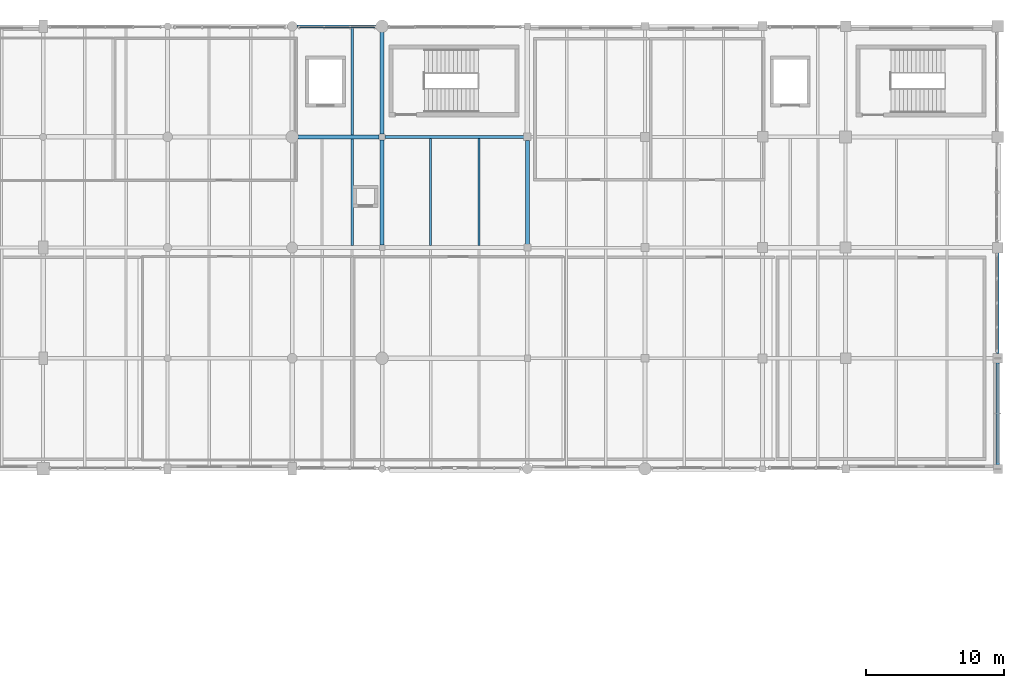
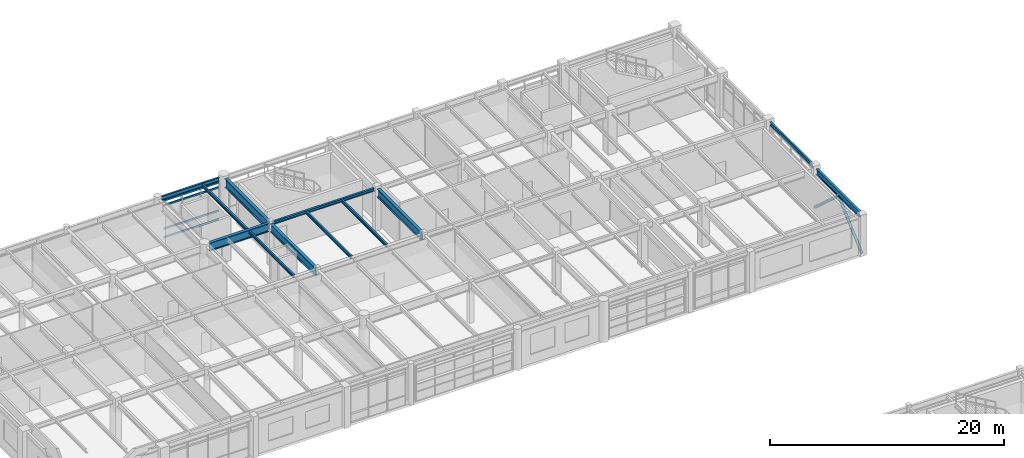
# One storey, part 117 of 168: 12 beams, 6 members, 1 element without a shape of its own.
"""IFC4 building model written with IfcOpenShell, lengths in metres."""

import ifcopenshell
import ifcopenshell.guid

model = None  # the IFC model being written
_history = None  # IfcOwnerHistory: only IFC2X3 demands one
_inside = {}  # id of a spatial element -> (the spatial element, [elements in it])
_under = {}  # id of a project, library or spatial element -> (it, [spatial elements below it])
_declared = {}  # id of a project -> (the project, [libraries it declares])
_typed = {}  # id of a type object -> (the type object, [elements of that type])
_made_of = {}  # id of a material, layer set ... -> (it, [elements and type objects made of it])


def new_model(schema):
    """Start an empty IFC model of exactly this schema.

    Asked for "IFC4X3", IfcOpenShell would pick the latest addendum, in which some entities
    have other attributes; the version numbers below select the first issue.
    IFC2X3 requires an IfcOwnerHistory on every rooted entity: one is made here for all.
    """
    global model, _history
    if schema == "IFC4X3":
        model = ifcopenshell.file(schema_version=(4, 3, 0, 0))
    else:
        model = ifcopenshell.file(schema=schema)
    _inside.clear()
    _under.clear()
    _declared.clear()
    _typed.clear()
    _made_of.clear()
    _history = None
    if model.schema == "IFC2X3":
        org = make("IfcOrganization", Name="unknown")
        user = make(
            "IfcPersonAndOrganization",
            ThePerson=make("IfcPerson", FamilyName="unknown"),
            TheOrganization=org,
        )
        app = make(
            "IfcApplication",
            ApplicationDeveloper=org,
            Version="unknown",
            ApplicationFullName="unknown",
            ApplicationIdentifier="unknown",
        )
        _history = make(
            "IfcOwnerHistory",
            OwningUser=user,
            OwningApplication=app,
            ChangeAction="ADDED",
            CreationDate=0,
        )
    return model


def make(cls, **values):
    """One entity of the class cls with the attributes given. An attribute that is None is left unset."""
    return model.create_entity(
        cls, **{name: value for name, value in values.items() if value is not None}
    )


def rooted(cls, **values):
    """An entity with a GlobalId (a new one), such as an element, a storey or a relation."""
    return make(cls, GlobalId=ifcopenshell.guid.new(), OwnerHistory=_history, **values)


def si_unit(unit_type, name, prefix=None):
    """IfcSIUnit, for example si_unit("LENGTHUNIT", "METRE", prefix="MILLI")."""
    return make("IfcSIUnit", UnitType=unit_type, Prefix=prefix, Name=name)


def assignment(units):
    """IfcUnitAssignment: the units of a project."""
    return None if units is None else make("IfcUnitAssignment", Units=units)


def point(xyz):
    """IfcCartesianPoint."""
    return None if xyz is None else make("IfcCartesianPoint", Coordinates=xyz)


def direction(xyz):
    """IfcDirection."""
    return None if xyz is None else make("IfcDirection", DirectionRatios=xyz)


def frame(location, z_axis=None, x_axis=None):
    """IfcAxis2Placement3D, a coordinate frame: its origin and axes. An axis left out is left unset."""
    return make(
        "IfcAxis2Placement3D",
        Location=point(location),
        Axis=direction(z_axis),
        RefDirection=direction(x_axis),
    )


def frame_2d(location, x_axis=None):
    """IfcAxis2Placement2D, a coordinate frame in the plane: its origin and x axis."""
    return make(
        "IfcAxis2Placement2D", Location=point(location), RefDirection=direction(x_axis)
    )


def origin():
    """The frame at (0, 0, 0) with its axes left unset."""
    return frame((0.0, 0.0, 0.0))


def origin_2d():
    """The frame at (0, 0) in the plane with its x axis left unset."""
    return frame_2d((0.0, 0.0))


def place(relative_to, where):
    """IfcLocalPlacement: puts the frame where relative to a parent placement (None: the world)."""
    return make(
        "IfcLocalPlacement", PlacementRelTo=relative_to, RelativePlacement=where
    )


def context(
    kind, dimensions, precision=None, world=None, true_north=None, identifier=None
):
    """IfcGeometricRepresentationContext, for example the 3D "Model" context."""
    return make(
        "IfcGeometricRepresentationContext",
        ContextIdentifier=identifier,
        ContextType=kind,
        CoordinateSpaceDimension=dimensions,
        Precision=precision,
        WorldCoordinateSystem=world,
        TrueNorth=true_north,
    )


def subcontext(parent, identifier, kind, view, scale=None):
    """IfcGeometricRepresentationSubContext, for example "Body" below "Model"."""
    return make(
        "IfcGeometricRepresentationSubContext",
        ContextIdentifier=identifier,
        ContextType=kind,
        ParentContext=parent,
        TargetScale=scale,
        TargetView=view,
    )


def project(units=None, contexts=None):
    """IfcProject with its units and contexts."""
    return rooted(
        "IfcProject",
        Name="project",
        RepresentationContexts=contexts,
        UnitsInContext=assignment(units),
    )


def spatial(cls, under=None, at=None, **own):
    """A site, building, storey or space (cls), placed at a placement, below another one or the project."""
    s = rooted(cls, ObjectPlacement=at, **own)
    if under is not None:
        _under.setdefault(under.id(), (under, []))[1].append(s)
    return s


def profile(cls, at=None, kind="AREA", **sizes):
    """A parametric profile (cls). Its sizes go by their IFC names, for example OverallWidth=200.0."""
    return make(cls, ProfileType=kind, Position=at, **sizes)


def hollow_rectangle(**sizes):
    """IfcRectangleHollowProfileDef."""
    return profile("IfcRectangleHollowProfileDef", **sizes)


def hollow_circle(**sizes):
    """IfcCircleHollowProfileDef."""
    return profile("IfcCircleHollowProfileDef", **sizes)


def i_section(**sizes):
    """IfcIShapeProfileDef."""
    return profile("IfcIShapeProfileDef", **sizes)


def extrude(swept, where, along, depth):
    """IfcExtrudedAreaSolid: the profile swept, set in the frame where, extruded along a direction by depth."""
    return make(
        "IfcExtrudedAreaSolid",
        SweptArea=swept,
        Position=where,
        ExtrudedDirection=direction(along),
        Depth=depth,
    )


def shape(context_of_items, identifier, shape_type, items):
    """IfcShapeRepresentation: the items that make up one representation, for example the "Body"."""
    return make(
        "IfcShapeRepresentation",
        ContextOfItems=context_of_items,
        RepresentationIdentifier=identifier,
        RepresentationType=shape_type,
        Items=items,
    )


def material(Name=None, Category=None):
    """IfcMaterial."""
    return make("IfcMaterial", Name=Name, Category=Category)


def material_profile(
    of_material, cross_section, Name=None, Category=None, Priority=None
):
    """IfcMaterialProfile: a cross section and its material."""
    return make(
        "IfcMaterialProfile",
        Name=Name,
        Material=of_material,
        Profile=cross_section,
        Priority=Priority,
        Category=Category,
    )


def profile_set(profiles, Name=None, composite=None):
    """IfcMaterialProfileSet."""
    return make(
        "IfcMaterialProfileSet",
        Name=Name,
        MaterialProfiles=profiles,
        CompositeProfile=composite,
    )


def made_of(thing, what):
    """Note that an element or type object is made of a material, layer set ...; save() writes the relation."""
    if what is not None:
        _made_of.setdefault(what.id(), (what, []))[1].append(thing)
    return thing


def type_object(cls, material=None, **own):
    """A type object (cls), such as IfcWallType, which elements share."""
    return made_of(rooted(cls, **own), material)


def element(
    cls,
    number,
    at=None,
    inside=None,
    cuts=None,
    type_object=None,
    material=None,
    context=None,
    identifier="Body",
    shape_type=None,
    held_by="IfcProductDefinitionShape",
    body=None,
    shapes=None,
    **own,
):
    """One element of the class cls, such as IfcWall. Its Tag is "e" and its number.

    at: its placement. inside: the storey or other place that contains it. cuts: it is an
    opening in that element (IfcRelVoidsElement). A single representation is given by context,
    identifier, shape_type and body (its items); several are given by shapes. held_by: the class
    of the entity that holds the representations. save() writes the other relations.
    """
    e = rooted(cls, Tag="e%d" % number, ObjectPlacement=at, **own)
    if body is not None:
        shapes = [shape(context, identifier, shape_type, body)]
    if shapes is not None:
        e.Representation = make(held_by, Representations=shapes)
    if inside is not None:
        _inside.setdefault(inside.id(), (inside, []))[1].append(e)
    if cuts is not None:
        rooted(
            "IfcRelVoidsElement", RelatingBuildingElement=cuts, RelatedOpeningElement=e
        )
    if type_object is not None:
        _typed.setdefault(type_object.id(), (type_object, []))[1].append(e)
    return made_of(e, material)


def aggregate(whole, parts):
    """IfcRelAggregates: a whole, such as a stair, and the parts it consists of."""
    return rooted("IfcRelAggregates", RelatingObject=whole, RelatedObjects=parts)


def save(model, path):
    """Write the relations noted so far, then the file.

    IfcRelAggregates (storeys below a building ...), IfcRelContainedInSpatialStructure (elements
    in a storey), IfcRelDefinesByType, IfcRelAssociatesMaterial and IfcRelDeclares: one each for
    every whole, place, type object, material and project.
    """
    for whole, parts in _under.values():
        aggregate(whole, parts)
    for where, things in _inside.values():
        rooted(
            "IfcRelContainedInSpatialStructure",
            RelatedElements=things,
            RelatingStructure=where,
        )
    for kind, things in _typed.values():
        rooted("IfcRelDefinesByType", RelatedObjects=things, RelatingType=kind)
    for what, things in _made_of.values():
        rooted("IfcRelAssociatesMaterial", RelatedObjects=things, RelatingMaterial=what)
    for by, libraries in _declared.values():
        rooted("IfcRelDeclares", RelatingContext=by, RelatedDefinitions=libraries)
    model.write(path)


model = new_model("IFC4")

# Units and contexts
model_context = context("Model", 3, precision=1e-05, world=origin(), true_north=direction((0.0, 1.0)))
body_context = subcontext(model_context, "Body", "Model", "MODEL_VIEW")
ifc_project = project(units=[si_unit("LENGTHUNIT", "METRE"), si_unit("AREAUNIT", "SQUARE_METRE"), si_unit("VOLUMEUNIT", "CUBIC_METRE"), si_unit("PLANEANGLEUNIT", "RADIAN"), si_unit("MASSUNIT", "GRAM", prefix="KILO"), si_unit("THERMODYNAMICTEMPERATUREUNIT", "KELVIN"), si_unit("POWERUNIT", "WATT")], contexts=[model_context])

# Site, building, storey
site_placement = place(None, origin())
site = spatial("IfcSite", under=ifc_project, at=site_placement, CompositionType="ELEMENT")
building_placement = place(site_placement, origin())
building = spatial("IfcBuilding", under=site, at=building_placement, Name="Tepalcoro Natatorium and Aquatics Centre", CompositionType="ELEMENT")
storey_placement = place(building_placement, frame((0.0, 0.0, 10.199951171875)))
storey = spatial("IfcBuildingStorey", under=building, at=storey_placement, Name="L02", CompositionType="ELEMENT", Elevation=10.199951171875)

# Beams
ifc_material_1 = material(Name="Steel ASTM A992 Grade 50 (Fy 345 MPa)", Category="steel")
ifc_material_profile_1 = material_profile(ifc_material_1, i_section(OverallWidth=0.202880859375, OverallDepth=0.304931640625, WebThickness=0.007080078125, FlangeThickness=0.012939453125, FilletRadius=0.013916015625, at=origin_2d()), Name="W12X40")
ifc_profile_set_1 = profile_set([ifc_material_profile_1], Name="Steel ASTM A992 Grade 50 (Fy 345 MPa)")
beam_type_1 = type_object("IfcBeamType", Name="BM_W12x40", PredefinedType="BEAM", material=ifc_profile_set_1)
beam_1_placement = place(storey_placement, frame((131.7099609375, 110.0, 4.212646484375), z_axis=(1.0, 0.0, 0.0), x_axis=(0.0, 1.0, 0.0)))
element("IfcBeam", 1, at=beam_1_placement, inside=storey, type_object=beam_type_1, Name="V5 L02 Grid Girder X", PredefinedType="BEAM", context=body_context, shape_type="SweptSolid", body=[
    extrude(i_section(OverallWidth=0.202880859375, OverallDepth=0.304931640625, WebThickness=0.007080078125, FlangeThickness=0.012939453125, FilletRadius=0.013916015625, at=origin_2d()), origin(), (0.0, 0.0, 1.0), 10.030029296875),
])
ifc_material_profile_2 = material_profile(ifc_material_1, i_section(OverallWidth=0.2919921875, OverallDepth=0.845947265625, WebThickness=0.014892578125, FlangeThickness=0.02392578125, FilletRadius=0.013916015625, at=origin_2d()), Name="W33X141")
ifc_profile_set_2 = profile_set([ifc_material_profile_2], Name="Steel ASTM A992 Grade 50 (Fy 345 MPa)")
beam_type_2 = type_object("IfcBeamType", Name="BM_W33x141", PredefinedType="BEAM", material=ifc_profile_set_2)
beam_2_placement = place(storey_placement, frame((131.5, 102.18505859375, 3.942138671875), z_axis=(0.0, 1.0, 0.0), x_axis=(-1.0, 0.0, 0.0)))
element("IfcBeam", 2, at=beam_2_placement, inside=storey, type_object=beam_type_2, Name="V5 L02 Grid Girder Y", PredefinedType="BEAM", context=body_context, shape_type="SweptSolid", body=[
    extrude(i_section(OverallWidth=0.2919921875, OverallDepth=0.845947265625, WebThickness=0.014892578125, FlangeThickness=0.02392578125, FilletRadius=0.013916015625, at=origin_2d()), origin(), (0.0, 0.0, 1.0), 7.60498046875),
])
ifc_material_profile_3 = material_profile(ifc_material_1, i_section(OverallWidth=0.2919921875, OverallDepth=0.85888671875, WebThickness=0.01708984375, FlangeThickness=0.031005859375, FilletRadius=0.013916015625, at=origin_2d()), Name="W33X169")
ifc_profile_set_3 = profile_set([ifc_material_profile_3], Name="Steel ASTM A992 Grade 50 (Fy 345 MPa)")
beam_type_3 = type_object("IfcBeamType", Name="BM_W33x169", PredefinedType="BEAM", material=ifc_profile_set_3)
beam_3_placement = place(storey_placement, frame((125.43505859375, 110.0, 3.935546875), z_axis=(1.0, 0.0, 0.0), x_axis=(0.0, 1.0, 0.0)))
element("IfcBeam", 3, at=beam_3_placement, inside=storey, type_object=beam_type_3, Name="V5 L02 Grid Girder X", PredefinedType="BEAM", context=body_context, shape_type="SweptSolid", body=[
    extrude(i_section(OverallWidth=0.2919921875, OverallDepth=0.85888671875, WebThickness=0.01708984375, FlangeThickness=0.031005859375, FilletRadius=0.013916015625, at=origin_2d()), origin(), (0.0, 0.0, 1.0), 5.85498046875),
])
beam_4_placement = place(storey_placement, frame((142.0, 102.235107421875, 3.935546875), z_axis=(0.0, 1.0, 0.0), x_axis=(-1.0, 0.0, 0.0)))
element("IfcBeam", 4, at=beam_4_placement, inside=storey, type_object=beam_type_3, Name="V5 L02 Grid Girder Y", PredefinedType="BEAM", context=body_context, shape_type="SweptSolid", body=[
    extrude(i_section(OverallWidth=0.2919921875, OverallDepth=0.85888671875, WebThickness=0.01708984375, FlangeThickness=0.031005859375, FilletRadius=0.013916015625, at=origin_2d()), origin(), (0.0, 0.0, 1.0), 7.5048828125),
])
ifc_material_profile_4 = material_profile(ifc_material_1, i_section(OverallWidth=0.304931640625, OverallDepth=0.9189453125, WebThickness=0.01708984375, FlangeThickness=0.028076171875, FilletRadius=0.013916015625, at=origin_2d()), Name="W36X170")
ifc_profile_set_4 = profile_set([ifc_material_profile_4], Name="Steel ASTM A992 Grade 50 (Fy 345 MPa)")
beam_type_4 = type_object("IfcBeamType", Name="BM_W36x170", PredefinedType="BEAM", material=ifc_profile_set_4)
beam_5_placement = place(storey_placement, frame((131.5, 110.2099609375, 3.905517578125), z_axis=(0.0, 1.0, 0.0), x_axis=(-1.0, 0.0, 0.0)))
element("IfcBeam", 5, at=beam_5_placement, inside=storey, type_object=beam_type_4, Name="V5 L02 Grid Girder Y", PredefinedType="BEAM", context=body_context, shape_type="SweptSolid", body=[
    extrude(i_section(OverallWidth=0.304931640625, OverallDepth=0.9189453125, WebThickness=0.01708984375, FlangeThickness=0.028076171875, FilletRadius=0.013916015625, at=origin_2d()), origin(), (0.0, 0.0, 1.0), 7.35498046875),
])

# Curtain wall, members
ifc_material_2 = material(Name="Bronze-Anodised Extruded Aluminium Alloy EN AW-6063 T6", Category="aluminium")
curtain_wall_type = type_object("IfcCurtainWallType", Name="CW_LEAN_T2_EW", PredefinedType="USERDEFINED", material=ifc_material_2)
curtain_wall_placement = place(storey_placement, origin())
curtain_wall = element("IfcCurtainWall", 6, at=curtain_wall_placement, inside=storey, type_object=curtain_wall_type, Name="V5 L02 N Unitised Curtain Wall Bay 4", ObjectType="FACETED SOLAR GLAZING", PredefinedType="USERDEFINED")
ifc_material_profile_5 = material_profile(ifc_material_2, hollow_rectangle(XDim=0.080078125, YDim=0.179931640625, WallThickness=0.0048828125, at=origin_2d()), Name="AL80X180X5")
ifc_profile_set_5 = profile_set([ifc_material_profile_5], Name="Bronze-Anodised Extruded Aluminium Alloy EN AW-6063 T6")
member_type_1 = type_object("IfcMemberType", Name="CW_TRN_80x180", PredefinedType="USERDEFINED", material=ifc_profile_set_5)
member_1_placement = place(storey_placement, frame((125.530029296875, 117.919921875, 0.050048828125), z_axis=(1.0, 0.0, 0.0), x_axis=(0.0, 1.0, 0.0)))
member_1 = element("IfcMember", 7, at=member_1_placement, type_object=member_type_1, Name="CW_LEAN_T2_EW Curtain Wall Transom", ObjectType="TRANSOM", PredefinedType="USERDEFINED", context=body_context, shape_type="SweptSolid", body=[
    extrude(hollow_rectangle(XDim=0.080078125, YDim=0.179931640625, WallThickness=0.0048828125, at=origin_2d()), origin(), (0.0, 0.0, 1.0), 5.43994140625),
])
member_2_placement = place(storey_placement, frame((125.530029296875, 117.919921875, 0.949951171875), z_axis=(1.0, 0.0, 0.0), x_axis=(0.0, 1.0, 0.0)))
member_2 = element("IfcMember", 8, at=member_2_placement, type_object=member_type_1, Name="CW_LEAN_T2_EW Curtain Wall Transom", ObjectType="TRANSOM", PredefinedType="USERDEFINED", context=body_context, shape_type="SweptSolid", body=[
    extrude(hollow_rectangle(XDim=0.080078125, YDim=0.179931640625, WallThickness=0.0048828125, at=origin_2d()), origin(), (0.0, 0.0, 1.0), 5.43994140625),
])
member_3_placement = place(storey_placement, frame((125.530029296875, 117.919921875, 3.386962890625), z_axis=(1.0, 0.0, 0.0), x_axis=(0.0, 1.0, 0.0)))
member_3 = element("IfcMember", 9, at=member_3_placement, type_object=member_type_1, Name="CW_LEAN_T2_EW Curtain Wall Transom", ObjectType="TRANSOM", PredefinedType="USERDEFINED", context=body_context, shape_type="SweptSolid", body=[
    extrude(hollow_rectangle(XDim=0.080078125, YDim=0.179931640625, WallThickness=0.0048828125, at=origin_2d()), origin(), (0.0, 0.0, 1.0), 5.43994140625),
])
member_4_placement = place(storey_placement, frame((125.530029296875, 117.919921875, 3.886962890625), z_axis=(1.0, 0.0, 0.0), x_axis=(0.0, 1.0, 0.0)))
member_4 = element("IfcMember", 10, at=member_4_placement, type_object=member_type_1, Name="CW_LEAN_T2_EW Curtain Wall Transom", ObjectType="TRANSOM", PredefinedType="USERDEFINED", context=body_context, shape_type="SweptSolid", body=[
    extrude(hollow_rectangle(XDim=0.080078125, YDim=0.179931640625, WallThickness=0.0048828125, at=origin_2d()), origin(), (0.0, 0.0, 1.0), 5.43994140625),
])
aggregate(curtain_wall, [member_1, member_2, member_3, member_4])

# Beams
ifc_material_profile_6 = material_profile(ifc_material_1, i_section(OverallWidth=0.1650390625, OverallDepth=0.31005859375, WebThickness=0.006103515625, FlangeThickness=0.010009765625, FilletRadius=0.013916015625, at=origin_2d()), Name="W12X26")
ifc_profile_set_6 = profile_set([ifc_material_profile_6], Name="Steel ASTM A992 Grade 50 (Fy 345 MPa)")
beam_type_5 = type_object("IfcBeamType", Name="JS_W12x26", PredefinedType="JOIST", material=ifc_profile_set_6)
beam_6_placement = place(storey_placement, frame((129.333251953125, 102.14599609375, 4.2099609375), z_axis=(0.0, 1.0, 0.0), x_axis=(-1.0, 0.0, 0.0)))
element("IfcBeam", 11, at=beam_6_placement, inside=storey, type_object=beam_type_5, Name="V5 L02 Floor Joist", PredefinedType="JOIST", context=body_context, shape_type="SweptSolid", body=[
    extrude(i_section(OverallWidth=0.1650390625, OverallDepth=0.31005859375, WebThickness=0.006103515625, FlangeThickness=0.010009765625, FilletRadius=0.013916015625, at=origin_2d()), origin(), (0.0, 0.0, 1.0), 7.7080078125),
])
beam_7_placement = place(storey_placement, frame((135.0, 102.155029296875, 4.2099609375), z_axis=(0.0, 1.0, 0.0), x_axis=(-1.0, 0.0, 0.0)))
element("IfcBeam", 12, at=beam_7_placement, inside=storey, type_object=beam_type_5, Name="V5 L02 Floor Joist", PredefinedType="JOIST", context=body_context, shape_type="SweptSolid", body=[
    extrude(i_section(OverallWidth=0.1650390625, OverallDepth=0.31005859375, WebThickness=0.006103515625, FlangeThickness=0.010009765625, FilletRadius=0.013916015625, at=origin_2d()), origin(), (0.0, 0.0, 1.0), 7.743408203125),
])
ifc_material_profile_7 = material_profile(ifc_material_1, i_section(OverallWidth=0.1669921875, OverallDepth=0.318115234375, WebThickness=0.008056640625, FlangeThickness=0.012939453125, FilletRadius=0.013916015625, at=origin_2d()), Name="W12X35")
ifc_profile_set_7 = profile_set([ifc_material_profile_7], Name="Steel ASTM A992 Grade 50 (Fy 345 MPa)")
beam_type_6 = type_object("IfcBeamType", Name="JS_W12x35", PredefinedType="JOIST", material=ifc_profile_set_7)
beam_8_placement = place(storey_placement, frame((129.333251953125, 110.14599609375, 4.2060546875), z_axis=(0.0, 1.0, 0.0), x_axis=(-1.0, 0.0, 0.0)))
element("IfcBeam", 13, at=beam_8_placement, inside=storey, type_object=beam_type_6, Name="V5 L02 Floor Joist", PredefinedType="JOIST", context=body_context, shape_type="SweptSolid", body=[
    extrude(i_section(OverallWidth=0.1669921875, OverallDepth=0.318115234375, WebThickness=0.008056640625, FlangeThickness=0.012939453125, FilletRadius=0.013916015625, at=origin_2d()), origin(), (0.0, 0.0, 1.0), 7.763916015625),
])
beam_9_placement = place(storey_placement, frame((138.5, 102.155029296875, 4.2060546875), z_axis=(0.0, 1.0, 0.0), x_axis=(-1.0, 0.0, 0.0)))
element("IfcBeam", 14, at=beam_9_placement, inside=storey, type_object=beam_type_6, Name="V5 L02 Floor Joist", PredefinedType="JOIST", context=body_context, shape_type="SweptSolid", body=[
    extrude(i_section(OverallWidth=0.1669921875, OverallDepth=0.318115234375, WebThickness=0.008056640625, FlangeThickness=0.012939453125, FilletRadius=0.013916015625, at=origin_2d()), origin(), (0.0, 0.0, 1.0), 7.743408203125),
])

# Members
ifc_material_3 = material(Name="Terracotta Painted Hollow Steel ASTM A500 Grade C (Fy 345 MPa)", Category="masonry")
ifc_material_profile_8 = material_profile(ifc_material_3, hollow_circle(Radius=0.136474609375, WallThickness=0.011962890625, at=origin_2d()), Name="CHS273X12")
ifc_profile_set_8 = profile_set([ifc_material_profile_8], Name="Terracotta Painted Hollow Steel ASTM A500 Grade C (Fy 345 MPa)")
member_type_2 = type_object("IfcMemberType", Name="MB_BR_CHS273x12", PredefinedType="BRACE", material=ifc_profile_set_8)
for number, where, z_axis, x_axis, name in (
    (15, (176.0, 86.0, 0.050048828125), (0.0, 0.742360686532, 0.670000456039), (-1.0, 0.0, 0.0), "V5 L02 Chevron Lateral Brace"),
    (16, (176.0, 94.0, 0.050048828125), (0.0, -0.742360686532, 0.670000456039), (1.0, 0.0, 0.0), "V5 L02 Chevron Lateral Brace"),
):
    element("IfcMember", number, at=place(storey_placement, frame(where, z_axis=z_axis, x_axis=x_axis)), inside=storey, type_object=member_type_2, Name=name, PredefinedType="BRACE", context=body_context, shape_type="SweptSolid", body=[
        extrude(hollow_circle(Radius=0.136474609375, WallThickness=0.011962890625, at=origin_2d()), origin(), (0.0, 0.0, 1.0), 5.38818359375),
    ])

# Beams
ifc_material_profile_9 = material_profile(ifc_material_1, i_section(OverallWidth=0.179931640625, OverallDepth=0.4130859375, WebThickness=0.010009765625, FlangeThickness=0.01611328125, FilletRadius=0.013916015625, at=origin_2d()), Name="W16X50")
ifc_profile_set_9 = profile_set([ifc_material_profile_9], Name="Steel ASTM A992 Grade 50 (Fy 345 MPa)")
beam_type_7 = type_object("IfcBeamType", Name="SP_HSS300x200x12", PredefinedType="SPANDREL", material=ifc_profile_set_9)
beam_10_placement = place(storey_placement, frame((125.3349609375, 118.0, 4.158447265625), z_axis=(1.0, 0.0, 0.0), x_axis=(0.0, 1.0, 0.0)))
element("IfcBeam", 17, at=beam_10_placement, inside=storey, type_object=beam_type_7, Name="V5 L02 Grid Girder X", PredefinedType="SPANDREL", context=body_context, shape_type="SweptSolid", body=[
    extrude(i_section(OverallWidth=0.179931640625, OverallDepth=0.4130859375, WebThickness=0.010009765625, FlangeThickness=0.01611328125, FilletRadius=0.013916015625, at=origin_2d()), origin(), (0.0, 0.0, 1.0), 5.72998046875),
])
beam_11_placement = place(storey_placement, frame((176.0, 94.3349609375, 4.158447265625), z_axis=(0.0, 1.0, 0.0), x_axis=(-1.0, 0.0, 0.0)))
element("IfcBeam", 18, at=beam_11_placement, inside=storey, type_object=beam_type_7, Name="V5 L02 Grid Girder Y", PredefinedType="SPANDREL", context=body_context, shape_type="SweptSolid", body=[
    extrude(i_section(OverallWidth=0.179931640625, OverallDepth=0.4130859375, WebThickness=0.010009765625, FlangeThickness=0.01611328125, FilletRadius=0.013916015625, at=origin_2d()), origin(), (0.0, 0.0, 1.0), 7.304931640625),
])
ifc_material_profile_10 = material_profile(ifc_material_1, i_section(OverallWidth=0.22900390625, OverallDepth=0.612060546875, WebThickness=0.011962890625, FlangeThickness=0.02001953125, FilletRadius=0.013916015625, at=origin_2d()), Name="W24X84")
ifc_profile_set_10 = profile_set([ifc_material_profile_10], Name="Steel ASTM A992 Grade 50 (Fy 345 MPa)")
beam_type_8 = type_object("IfcBeamType", Name="SP_W24x84", PredefinedType="SPANDREL", material=ifc_profile_set_10)
beam_12_placement = place(storey_placement, frame((176.0, 86.31005859375, 3.97900390625), z_axis=(0.0, 1.0, 0.0), x_axis=(-1.0, 0.0, 0.0)))
element("IfcBeam", 19, at=beam_12_placement, inside=storey, type_object=beam_type_8, Name="V5 L02 Grid Girder Y", PredefinedType="SPANDREL", context=body_context, shape_type="SweptSolid", body=[
    extrude(i_section(OverallWidth=0.22900390625, OverallDepth=0.612060546875, WebThickness=0.011962890625, FlangeThickness=0.02001953125, FilletRadius=0.013916015625, at=origin_2d()), origin(), (0.0, 0.0, 1.0), 7.35498046875),
])

save(model, "model.ifc")
